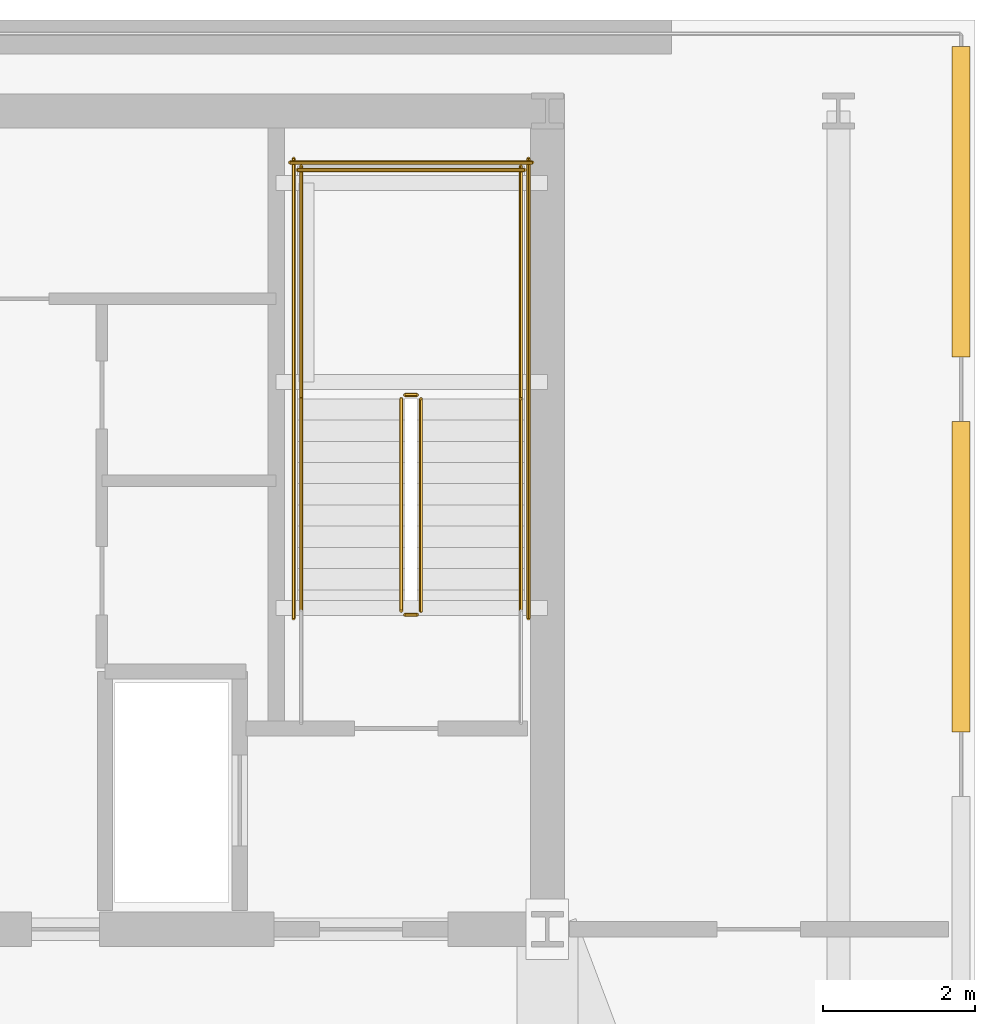
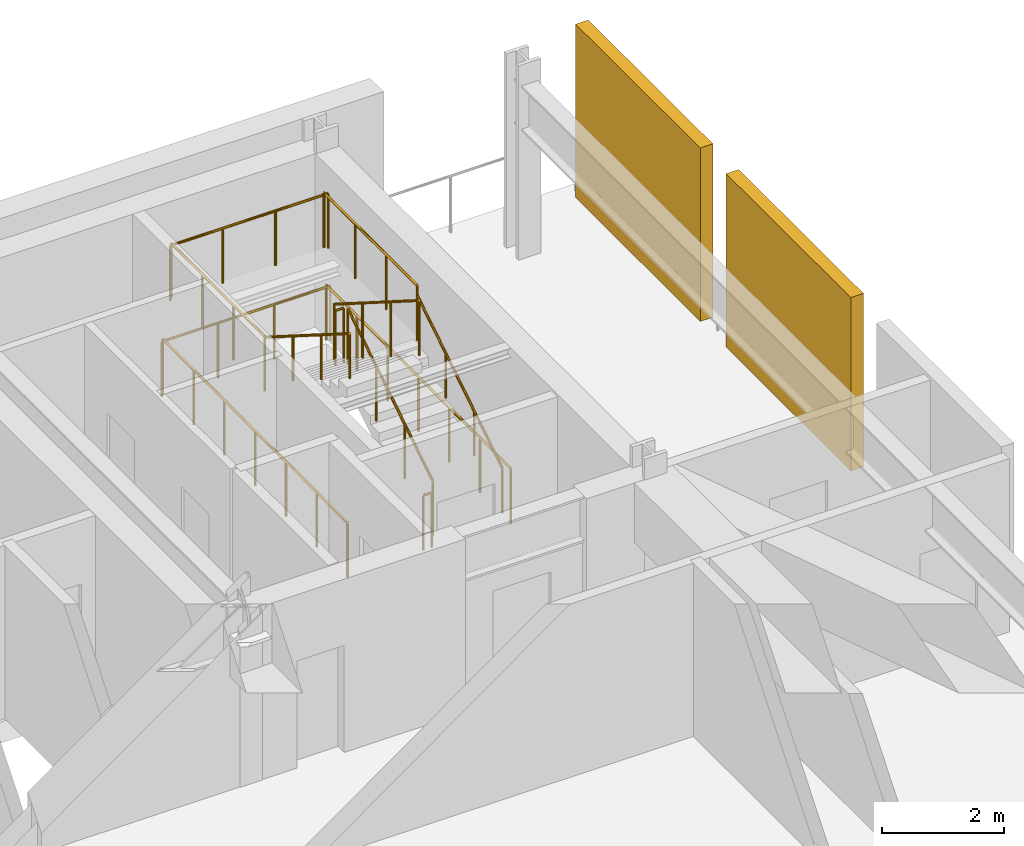
# One storey, part 7 of 7: 12 railings, 2 shading devices.
"""IFC4 building model written with IfcOpenShell, lengths in metres."""

from ifc_helpers import new_model, si_unit, direction, frame, origin, origin_2d, place, context, subcontext, project, spatial, rectangle, circle, extrude, material, layer, layer_set, type_object, element, save


model = new_model("IFC4")

# Units and contexts
model_context = context("Model", 3, precision=1e-05, world=origin(), true_north=direction((0.0, 1.0)))
body_context = subcontext(model_context, "Body", "Model", "MODEL_VIEW")
ifc_project = project(units=[si_unit("LENGTHUNIT", "METRE"), si_unit("AREAUNIT", "SQUARE_METRE"), si_unit("VOLUMEUNIT", "CUBIC_METRE"), si_unit("PLANEANGLEUNIT", "RADIAN"), si_unit("MASSUNIT", "GRAM", prefix="KILO")], contexts=[model_context])

# Site, building, storey
site_placement = place(None, origin())
site = spatial("IfcSite", under=ifc_project, at=site_placement, CompositionType="ELEMENT")
building_placement = place(site_placement, origin())
building = spatial("IfcBuilding", under=site, at=building_placement, Name="Yelkora Congress Tower", CompositionType="ELEMENT")
storey_placement = place(building_placement, frame((0.0, 0.0, 145.10009765625)))
storey = spatial("IfcBuildingStorey", under=building, at=storey_placement, Name="L39", CompositionType="ELEMENT", Elevation=145.10009765625)

# Railings
ifc_material_1 = material(Name="Painted galvanised steel stair well guard with vertical infill", Category="steel")
ifc_layer_1 = layer(ifc_material_1, 0.06005859375)
ifc_layer_set_1 = layer_set([ifc_layer_1], Name="Painted galvanised steel stair well guard with vertical infill")
railing_type_1 = type_object("IfcRailingType", Name="RAIL-STAIR-GUARD-1120", PredefinedType="GUARDRAIL", material=ifc_layer_set_1)
railing_1_placement = place(storey_placement, frame((52.090087890625, 39.60009765625, 0.17724609375)))
element("IfcRailing", 1, at=railing_1_placement, inside=storey, type_object=railing_type_1, Name="ST-02 L39 Stair Well Guardrail 1", PredefinedType="GUARDRAIL", context=body_context, shape_type="SweptSolid", body=[
    extrude(circle(Radius=0.02392578125, at=origin_2d()), frame((0.0, 0.0, 1.09619140625), z_axis=(0.0, 0.844887892834, 0.53494340686), x_axis=(-1.0, 0.0, 0.0)), (0.0, 0.0, 1.0), 3.313720703125),
    extrude(circle(Radius=0.02099609375, at=origin_2d()), origin(), (0.0, 0.0, 1.0), 1.072021484375),
    extrude(circle(Radius=0.02099609375, at=origin_2d()), frame((0.0, 0.933349609375, 0.5908203125)), (0.0, 0.0, 1.0), 1.072021484375),
    extrude(circle(Radius=0.02099609375, at=origin_2d()), frame((0.0, 1.866455078125, 1.181884765625)), (0.0, 0.0, 1.0), 1.072021484375),
    extrude(circle(Radius=0.02099609375, at=origin_2d()), frame((0.0, 2.7998046875, 1.772705078125)), (0.0, 0.0, 1.0), 1.072021484375),
])
railing_2_placement = place(storey_placement, frame((52.0400390625, 42.449951171875, 1.949951171875)))
element("IfcRailing", 2, at=railing_2_placement, inside=storey, type_object=railing_type_1, Name="ST-02 L39 Stair Well Guardrail 2", PredefinedType="GUARDRAIL", context=body_context, shape_type="SweptSolid", body=[
    extrude(circle(Radius=0.02392578125, at=origin_2d()), frame((0.0, 0.0, 1.09619140625), z_axis=(-1.0, 0.0, 0.0), x_axis=(0.0, -1.0, 0.0)), (0.0, 0.0, 1.0), 0.16015625),
    extrude(circle(Radius=0.02099609375, at=origin_2d()), origin(), (0.0, 0.0, 1.0), 1.072021484375),
    extrude(circle(Radius=0.02099609375, at=origin_2d()), frame((-0.16015625, 0.0, 0.0)), (0.0, 0.0, 1.0), 1.072021484375),
])
for number, where, name in (
    (3, (53.409912109375, 42.39990234375, 1.949951171875), "ST-02 L39 Stair Well Guardrail 3"),
    (4, (50.510009765625, 42.39990234375, 1.949951171875), "ST-02 L39 Stair Well Guardrail 4"),
):
    element("IfcRailing", number, at=place(storey_placement, frame(where)), inside=storey, type_object=railing_type_1, Name=name, PredefinedType="GUARDRAIL", context=body_context, shape_type="SweptSolid", body=[
        extrude(circle(Radius=0.02392578125, at=origin_2d()), frame((0.0, 0.0, 1.09619140625), z_axis=(0.0, 1.0, 0.0), x_axis=(-1.0, 0.0, 0.0)), (0.0, 0.0, 1.0), 3.070068359375),
        extrude(circle(Radius=0.02099609375, at=origin_2d()), origin(), (0.0, 0.0, 1.0), 1.072021484375),
        extrude(circle(Radius=0.02099609375, at=origin_2d()), frame((0.0, 1.0234375, 0.0)), (0.0, 0.0, 1.0), 1.072021484375),
        extrude(circle(Radius=0.02099609375, at=origin_2d()), frame((0.0, 2.046630859375, 0.0)), (0.0, 0.0, 1.0), 1.072021484375),
        extrude(circle(Radius=0.02099609375, at=origin_2d()), frame((0.0, 3.070068359375, 0.0)), (0.0, 0.0, 1.0), 1.072021484375),
    ])
railing_3_placement = place(storey_placement, frame((53.4599609375, 45.419921875, 1.949951171875)))
element("IfcRailing", 5, at=railing_3_placement, inside=storey, type_object=railing_type_1, Name="ST-02 L39 Stair Well Guardrail 5", PredefinedType="GUARDRAIL", context=body_context, shape_type="SweptSolid", body=[
    extrude(circle(Radius=0.02392578125, at=origin_2d()), frame((0.0, 0.0, 1.09619140625), z_axis=(-1.0, 0.0, 0.0), x_axis=(0.0, -1.0, 0.0)), (0.0, 0.0, 1.0), 3.0),
    extrude(circle(Radius=0.02099609375, at=origin_2d()), origin(), (0.0, 0.0, 1.0), 1.072021484375),
    extrude(circle(Radius=0.02099609375, at=origin_2d()), frame((-1.0, 0.0, 0.0)), (0.0, 0.0, 1.0), 1.072021484375),
    extrude(circle(Radius=0.02099609375, at=origin_2d()), frame((-2.0, 0.0, 0.0)), (0.0, 0.0, 1.0), 1.072021484375),
    extrude(circle(Radius=0.02099609375, at=origin_2d()), frame((-3.0, 0.0, 0.0)), (0.0, 0.0, 1.0), 1.072021484375),
])
railing_4_placement = place(storey_placement, frame((51.830078125, 42.39990234375, 2.127197265625)))
element("IfcRailing", 6, at=railing_4_placement, inside=storey, type_object=railing_type_1, Name="ST-02 L39 Stair Well Guardrail 6", PredefinedType="GUARDRAIL", context=body_context, shape_type="SweptSolid", body=[
    extrude(circle(Radius=0.02392578125, at=origin_2d()), frame((0.0, 0.0, 1.09619140625), z_axis=(0.0, -0.844887892834, 0.53494340686), x_axis=(1.0, 0.0, 0.0)), (0.0, 0.0, 1.0), 3.313720703125),
    extrude(circle(Radius=0.02099609375, at=origin_2d()), origin(), (0.0, 0.0, 1.0), 1.072021484375),
    extrude(circle(Radius=0.02099609375, at=origin_2d()), frame((0.0, -0.933349609375, 0.5908203125)), (0.0, 0.0, 1.0), 1.072021484375),
    extrude(circle(Radius=0.02099609375, at=origin_2d()), frame((0.0, -1.866455078125, 1.181884765625)), (0.0, 0.0, 1.0), 1.072021484375),
    extrude(circle(Radius=0.02099609375, at=origin_2d()), frame((0.0, -2.7998046875, 1.772705078125)), (0.0, 0.0, 1.0), 1.072021484375),
])
railing_5_placement = place(storey_placement, frame((52.0400390625, 39.550048828125, 0.0)))
element("IfcRailing", 7, at=railing_5_placement, inside=storey, type_object=railing_type_1, Name="ST-02 L39 Stair Well Guardrail 7", PredefinedType="GUARDRAIL", context=body_context, shape_type="SweptSolid", body=[
    extrude(circle(Radius=0.02392578125, at=origin_2d()), frame((0.0, 0.0, 1.09619140625), z_axis=(-1.0, 0.0, 0.0), x_axis=(0.0, -1.0, 0.0)), (0.0, 0.0, 1.0), 0.16015625),
    extrude(circle(Radius=0.02099609375, at=origin_2d()), origin(), (0.0, 0.0, 1.0), 1.072021484375),
    extrude(circle(Radius=0.02099609375, at=origin_2d()), frame((-0.16015625, 0.0, 0.0)), (0.0, 0.0, 1.0), 1.072021484375),
])
for number, where, name in (
    (8, (53.510009765625, 39.5, 0.0), "ST-02 L39 Stair Well Guardrail 10"),
    (9, (50.409912109375, 39.5, 0.0), "ST-02 L39 Stair Well Guardrail 11"),
):
    element("IfcRailing", number, at=place(storey_placement, frame(where)), inside=storey, type_object=railing_type_1, Name=name, PredefinedType="GUARDRAIL", context=body_context, shape_type="SweptSolid", body=[
        extrude(circle(Radius=0.02392578125, at=origin_2d()), frame((0.0, 0.0, 1.09619140625), z_axis=(0.0, 1.0, 0.0), x_axis=(-1.0, 0.0, 0.0)), (0.0, 0.0, 1.0), 6.070068359375),
        extrude(circle(Radius=0.02099609375, at=origin_2d()), origin(), (0.0, 0.0, 1.0), 1.072021484375),
        extrude(circle(Radius=0.02099609375, at=origin_2d()), frame((0.0, 1.01171875, 0.0)), (0.0, 0.0, 1.0), 1.072021484375),
        extrude(circle(Radius=0.02099609375, at=origin_2d()), frame((0.0, 2.0234375, 0.0)), (0.0, 0.0, 1.0), 1.072021484375),
        extrude(circle(Radius=0.02099609375, at=origin_2d()), frame((0.0, 3.03515625, 0.0)), (0.0, 0.0, 1.0), 1.072021484375),
        extrude(circle(Radius=0.02099609375, at=origin_2d()), frame((0.0, 4.046630859375, 0.0)), (0.0, 0.0, 1.0), 1.072021484375),
        extrude(circle(Radius=0.02099609375, at=origin_2d()), frame((0.0, 5.058349609375, 0.0)), (0.0, 0.0, 1.0), 1.072021484375),
        extrude(circle(Radius=0.02099609375, at=origin_2d()), frame((0.0, 6.070068359375, 0.0)), (0.0, 0.0, 1.0), 1.072021484375),
    ])
railing_6_placement = place(storey_placement, frame((53.56005859375, 45.52001953125, 0.0)))
element("IfcRailing", 10, at=railing_6_placement, inside=storey, type_object=railing_type_1, Name="ST-02 L39 Stair Well Guardrail 12", PredefinedType="GUARDRAIL", context=body_context, shape_type="SweptSolid", body=[
    extrude(circle(Radius=0.02392578125, at=origin_2d()), frame((0.0, 0.0, 1.09619140625), z_axis=(-1.0, 0.0, 0.0), x_axis=(0.0, -1.0, 0.0)), (0.0, 0.0, 1.0), 3.199951171875),
    extrude(circle(Radius=0.02099609375, at=origin_2d()), origin(), (0.0, 0.0, 1.0), 1.072021484375),
    extrude(circle(Radius=0.02099609375, at=origin_2d()), frame((-1.066650390625, 0.0, 0.0)), (0.0, 0.0, 1.0), 1.072021484375),
    extrude(circle(Radius=0.02099609375, at=origin_2d()), frame((-2.13330078125, 0.0, 0.0)), (0.0, 0.0, 1.0), 1.072021484375),
    extrude(circle(Radius=0.02099609375, at=origin_2d()), frame((-3.199951171875, 0.0, 0.0)), (0.0, 0.0, 1.0), 1.072021484375),
])
ifc_material_2 = material(Name="Brushed stainless steel tubular handrail", Category="steel")
ifc_layer_2 = layer(ifc_material_2, 0.050048828125)
ifc_layer_set_2 = layer_set([ifc_layer_2], Name="Brushed stainless steel tubular handrail")
railing_type_2 = type_object("IfcRailingType", Name="RAIL-STAIR-HAND-920", PredefinedType="HANDRAIL", material=ifc_layer_set_2)
railing_7_placement = place(storey_placement, frame((53.409912109375, 39.60009765625, 0.17724609375)))
element("IfcRailing", 11, at=railing_7_placement, inside=storey, type_object=railing_type_2, Name="ST-02 L39 Pitch Handrail 1", PredefinedType="HANDRAIL", context=body_context, shape_type="SweptSolid", body=[
    extrude(circle(Radius=0.02392578125, at=origin_2d()), frame((0.0, 0.0, 0.89599609375), z_axis=(0.0, 0.844887892834, 0.53494340686), x_axis=(-1.0, 0.0, 0.0)), (0.0, 0.0, 1.0), 3.313720703125),
    extrude(circle(Radius=0.02099609375, at=origin_2d()), origin(), (0.0, 0.0, 1.0), 0.871826171875),
    extrude(circle(Radius=0.02099609375, at=origin_2d()), frame((0.0, 0.933349609375, 0.5908203125)), (0.0, 0.0, 1.0), 0.871826171875),
    extrude(circle(Radius=0.02099609375, at=origin_2d()), frame((0.0, 1.866455078125, 1.181884765625)), (0.0, 0.0, 1.0), 0.871826171875),
    extrude(circle(Radius=0.02099609375, at=origin_2d()), frame((0.0, 2.7998046875, 1.772705078125)), (0.0, 0.0, 1.0), 0.871826171875),
])
railing_8_placement = place(storey_placement, frame((50.510009765625, 42.39990234375, 2.127197265625)))
element("IfcRailing", 12, at=railing_8_placement, inside=storey, type_object=railing_type_2, Name="ST-02 L39 Pitch Handrail 2", PredefinedType="HANDRAIL", context=body_context, shape_type="SweptSolid", body=[
    extrude(circle(Radius=0.02392578125, at=origin_2d()), frame((0.0, 0.0, 0.89599609375), z_axis=(0.0, -0.844887892834, 0.53494340686), x_axis=(1.0, 0.0, 0.0)), (0.0, 0.0, 1.0), 3.313720703125),
    extrude(circle(Radius=0.02099609375, at=origin_2d()), origin(), (0.0, 0.0, 1.0), 0.871826171875),
    extrude(circle(Radius=0.02099609375, at=origin_2d()), frame((0.0, -0.933349609375, 0.5908203125)), (0.0, 0.0, 1.0), 0.871826171875),
    extrude(circle(Radius=0.02099609375, at=origin_2d()), frame((0.0, -1.866455078125, 1.181884765625)), (0.0, 0.0, 1.0), 0.871826171875),
    extrude(circle(Radius=0.02099609375, at=origin_2d()), frame((0.0, -2.7998046875, 1.772705078125)), (0.0, 0.0, 1.0), 0.871826171875),
])

# Shading devices
ifc_material_3 = material(Name="Perforated anodised aluminium louvre", Category="aluminium")
ifc_layer_3 = layer(ifc_material_3, 3.39990234375)
ifc_layer_set_3 = layer_set([ifc_layer_3], Name="Perforated anodised aluminium louvre")
shading_device_type = type_object("IfcShadingDeviceType", Name="SHD-LOUVRE-WIND", PredefinedType="JALOUSIE", material=ifc_layer_set_3)
for number, where, z_axis, x_axis, name in (
    (13, (59.219970703125, 40.050048828125, 0.0), (0.0, 0.0, 1.0), (1.0, 0.0, 0.0), "L39 Acoustic Wind-Floor Louvre Screen E4"),
    (14, (59.219970703125, 45.0, 0.0), (0.0, 0.0, 1.0), (1.0, 0.0, 0.0), "L39 Acoustic Wind-Floor Louvre Screen E5"),
):
    element("IfcShadingDevice", number, at=place(storey_placement, frame(where, z_axis=z_axis, x_axis=x_axis)), inside=storey, type_object=shading_device_type, Name=name, PredefinedType="JALOUSIE", context=body_context, shape_type="SweptSolid", body=[
        extrude(rectangle(XDim=0.239990234375, YDim=4.10009765625, at=origin_2d()), origin(), (0.0, 0.0, 1.0), 3.47998046875),
    ])

save(model, "model.ifc")
